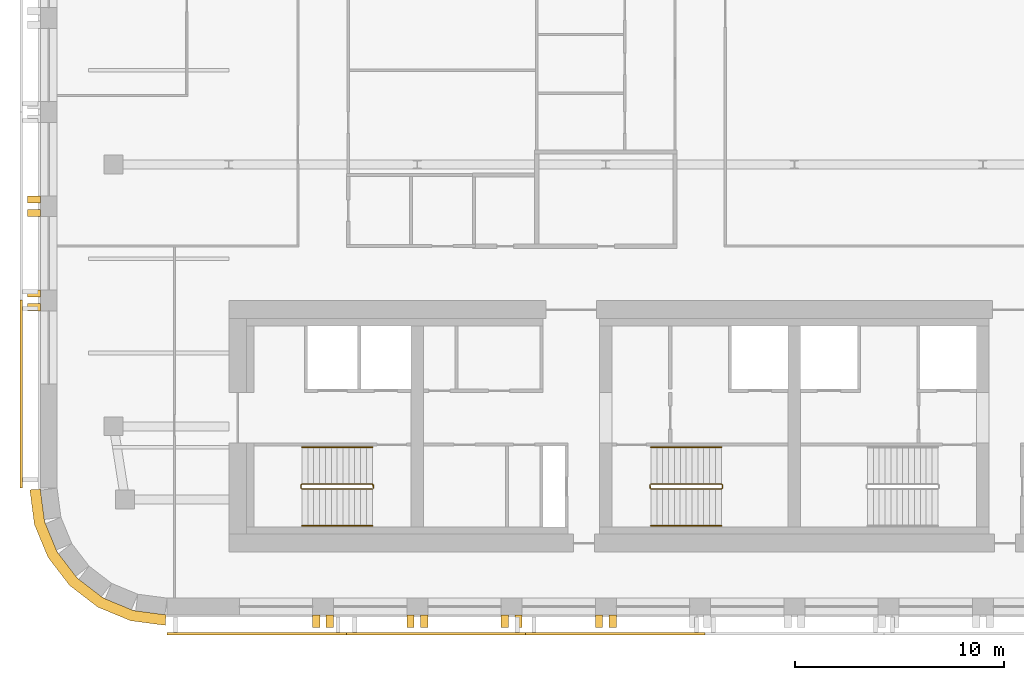
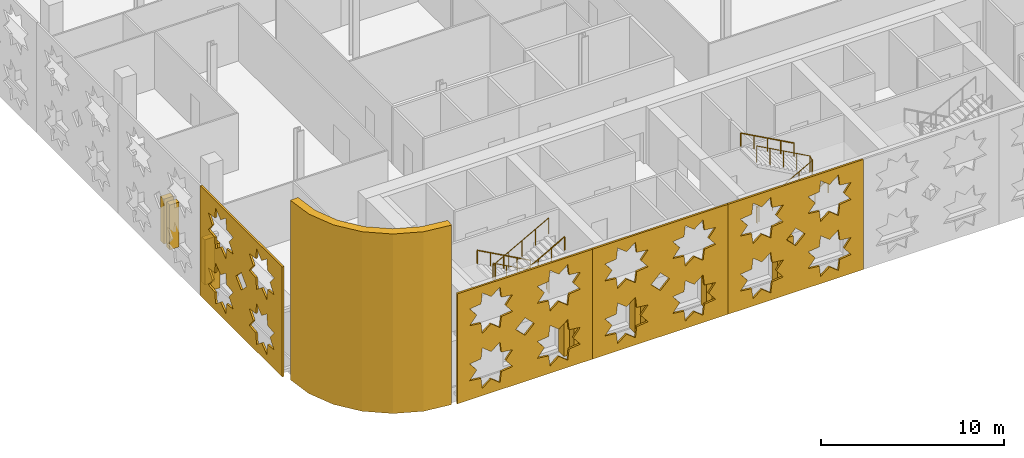
# One storey, part 10 of 14: 17 coverings, 6 railings.
"""IFC4 building model written with IfcOpenShell, lengths in metres."""

from ifc_helpers import new_model, si_unit, direction, frame, origin, origin_2d, place, context, subcontext, project, spatial, polyline, circle, outline, extrude, material, layer, layer_set, type_object, element, save


model = new_model("IFC4")

# Units and contexts
model_context = context("Model", 3, precision=1e-05, world=origin(), true_north=direction((0.0, 1.0)))
body_context = subcontext(model_context, "Body", "Model", "MODEL_VIEW")
ifc_project = project(units=[si_unit("LENGTHUNIT", "METRE"), si_unit("AREAUNIT", "SQUARE_METRE"), si_unit("VOLUMEUNIT", "CUBIC_METRE"), si_unit("PLANEANGLEUNIT", "RADIAN"), si_unit("MASSUNIT", "GRAM", prefix="KILO")], contexts=[model_context])

# Site, building, storey
site_placement = place(None, origin())
site = spatial("IfcSite", under=ifc_project, at=site_placement, CompositionType="ELEMENT")
building_placement = place(site_placement, origin())
building = spatial("IfcBuilding", under=site, at=building_placement, Name="Zellij Exchange Tower", CompositionType="ELEMENT")
storey_placement = place(building_placement, frame((0.0, 0.0, 164.5)))
storey = spatial("IfcBuildingStorey", under=building, at=storey_placement, Name="L37", CompositionType="ELEMENT", Elevation=164.5)

# Railings
ifc_material_1 = material(Name="Stainless steel", Category="steel")
railing_type_1 = type_object("IfcRailingType", Name="CORE-RG stair guard", PredefinedType="GUARDRAIL", material=ifc_material_1)
railing_1_placement = place(storey_placement, frame((-20.10009765625, -10.800048828125, 0.0)))
element("IfcRailing", 1, at=railing_1_placement, inside=storey, type_object=railing_type_1, Name="ST1 stair guard L37", PredefinedType="GUARDRAIL", context=body_context, shape_type="SweptSolid", body=[
    extrude(circle(Radius=0.02392578125, at=origin_2d()), frame((0.0, 0.0, 1.076171875), z_axis=(0.0, -1.0, 0.0), x_axis=(1.0, 0.0, 0.0)), (0.0, 0.0, 1.0), 0.14990234375),
    extrude(circle(Radius=0.02392578125, at=origin_2d()), frame((0.0, -0.14990234375, 1.076171875), z_axis=(-0.193691321961, 0.777613689637, 0.598164376644), x_axis=(-0.970351222016, -0.241699205484, 0.0)), (0.0, 0.0, 1.0), 0.257080078125),
    extrude(circle(Radius=0.02392578125, at=origin_2d()), frame((-0.0498046875, 0.050048828125, 1.22998046875), z_axis=(-0.876421534553, 0.0, 0.481544695509), x_axis=(0.0, -1.0, 0.0)), (0.0, 0.0, 1.0), 3.833984375),
    extrude(circle(Radius=0.02392578125, at=origin_2d()), frame((-3.409912109375, 0.050048828125, 3.076171875), z_axis=(-0.707106781187, -0.707106781187, 0.0), x_axis=(0.707106781187, -0.707106781187, 0.0)), (0.0, 0.0, 1.0), 0.07080078125),
    extrude(circle(Radius=0.02392578125, at=origin_2d()), frame((-3.4599609375, 0.0, 3.076171875), z_axis=(0.0, -1.0, 0.0), x_axis=(1.0, 0.0, 0.0)), (0.0, 0.0, 1.0), 0.14990234375),
    extrude(circle(Radius=0.02392578125, at=origin_2d()), frame((-3.4599609375, -0.14990234375, 3.076171875), z_axis=(0.295599637079, -0.295599637079, 0.908428152975), x_axis=(0.707106781187, 0.707106781187, 0.0)), (0.0, 0.0, 1.0), 0.16943359375),
    extrude(circle(Radius=0.02392578125, at=origin_2d()), frame((-3.409912109375, -0.199951171875, 3.22998046875), z_axis=(0.876421534553, 0.0, 0.481544695509), x_axis=(0.0, 1.0, 0.0)), (0.0, 0.0, 1.0), 3.833984375),
    extrude(circle(Radius=0.02099609375, at=origin_2d()), origin(), (0.0, 0.0, 1.0), 1.052001953125),
    extrude(circle(Radius=0.02099609375, at=origin_2d()), frame((0.0, -0.14990234375, 0.0)), (0.0, 0.0, 1.0), 1.052001953125),
    extrude(circle(Radius=0.02099609375, at=origin_2d()), frame((-0.0498046875, 0.050048828125, 0.15380859375)), (0.0, 0.0, 1.0), 1.052001953125),
    extrude(circle(Radius=0.02099609375, at=origin_2d()), frame((-0.889892578125, 0.050048828125, 0.615234375)), (0.0, 0.0, 1.0), 1.052001953125),
    extrude(circle(Radius=0.02099609375, at=origin_2d()), frame((-1.72998046875, 0.050048828125, 1.076904296875)), (0.0, 0.0, 1.0), 1.052001953125),
    extrude(circle(Radius=0.02099609375, at=origin_2d()), frame((-2.56982421875, 0.050048828125, 1.53857421875)), (0.0, 0.0, 1.0), 1.052001953125),
    extrude(circle(Radius=0.02099609375, at=origin_2d()), frame((-3.409912109375, 0.050048828125, 2.0)), (0.0, 0.0, 1.0), 1.052001953125),
    extrude(circle(Radius=0.02099609375, at=origin_2d()), frame((-3.4599609375, 0.0, 2.0)), (0.0, 0.0, 1.0), 1.052001953125),
    extrude(circle(Radius=0.02099609375, at=origin_2d()), frame((-3.4599609375, -0.14990234375, 2.0)), (0.0, 0.0, 1.0), 1.052001953125),
    extrude(circle(Radius=0.02099609375, at=origin_2d()), frame((-3.409912109375, -0.199951171875, 2.15380859375)), (0.0, 0.0, 1.0), 1.052001953125),
    extrude(circle(Radius=0.02099609375, at=origin_2d()), frame((-2.56982421875, -0.199951171875, 2.615234375)), (0.0, 0.0, 1.0), 1.052001953125),
    extrude(circle(Radius=0.02099609375, at=origin_2d()), frame((-1.72998046875, -0.199951171875, 3.076904296875)), (0.0, 0.0, 1.0), 1.052001953125),
    extrude(circle(Radius=0.02099609375, at=origin_2d()), frame((-0.889892578125, -0.199951171875, 3.53857421875)), (0.0, 0.0, 1.0), 1.052001953125),
    extrude(circle(Radius=0.02099609375, at=origin_2d()), frame((-0.0498046875, -0.199951171875, 4.0)), (0.0, 0.0, 1.0), 1.052001953125),
])
railing_2_placement = place(storey_placement, frame((-6.89990234375, -10.949951171875, 0.0)))
element("IfcRailing", 2, at=railing_2_placement, inside=storey, type_object=railing_type_1, Name="ST2 stair guard L37", PredefinedType="GUARDRAIL", context=body_context, shape_type="SweptSolid", body=[
    extrude(circle(Radius=0.02392578125, at=origin_2d()), frame((0.0, 0.0, 1.076171875), z_axis=(0.0, 1.0, 0.0), x_axis=(-1.0, 0.0, 0.0)), (0.0, 0.0, 1.0), 0.14990234375),
    extrude(circle(Radius=0.02392578125, at=origin_2d()), frame((0.0, 0.14990234375, 1.076171875), z_axis=(0.193691321961, -0.777613689637, 0.598164376644), x_axis=(0.970351222016, 0.241699205484, 0.0)), (0.0, 0.0, 1.0), 0.257080078125),
    extrude(circle(Radius=0.02392578125, at=origin_2d()), frame((0.0498046875, -0.050048828125, 1.22998046875), z_axis=(0.876421534553, 0.0, 0.481544695509), x_axis=(0.0, 1.0, 0.0)), (0.0, 0.0, 1.0), 3.833984375),
    extrude(circle(Radius=0.02392578125, at=origin_2d()), frame((3.409912109375, -0.050048828125, 3.076171875), z_axis=(0.707106781187, 0.707106781187, 0.0), x_axis=(-0.707106781187, 0.707106781187, 0.0)), (0.0, 0.0, 1.0), 0.07080078125),
    extrude(circle(Radius=0.02392578125, at=origin_2d()), frame((3.4599609375, 0.0, 3.076171875), z_axis=(0.0, 1.0, 0.0), x_axis=(-1.0, 0.0, 0.0)), (0.0, 0.0, 1.0), 0.14990234375),
    extrude(circle(Radius=0.02392578125, at=origin_2d()), frame((3.4599609375, 0.14990234375, 3.076171875), z_axis=(-0.295599637079, 0.295599637079, 0.908428152975), x_axis=(-0.707106781187, -0.707106781187, 0.0)), (0.0, 0.0, 1.0), 0.16943359375),
    extrude(circle(Radius=0.02392578125, at=origin_2d()), frame((3.409912109375, 0.199951171875, 3.22998046875), z_axis=(-0.876421534553, 0.0, 0.481544695509), x_axis=(0.0, -1.0, 0.0)), (0.0, 0.0, 1.0), 3.833984375),
    extrude(circle(Radius=0.02099609375, at=origin_2d()), origin(), (0.0, 0.0, 1.0), 1.052001953125),
    extrude(circle(Radius=0.02099609375, at=origin_2d()), frame((0.0, 0.14990234375, 0.0)), (0.0, 0.0, 1.0), 1.052001953125),
    extrude(circle(Radius=0.02099609375, at=origin_2d()), frame((0.0498046875, -0.050048828125, 0.15380859375)), (0.0, 0.0, 1.0), 1.052001953125),
    extrude(circle(Radius=0.02099609375, at=origin_2d()), frame((0.889892578125, -0.050048828125, 0.615234375)), (0.0, 0.0, 1.0), 1.052001953125),
    extrude(circle(Radius=0.02099609375, at=origin_2d()), frame((1.72998046875, -0.050048828125, 1.076904296875)), (0.0, 0.0, 1.0), 1.052001953125),
    extrude(circle(Radius=0.02099609375, at=origin_2d()), frame((2.56982421875, -0.050048828125, 1.53857421875)), (0.0, 0.0, 1.0), 1.052001953125),
    extrude(circle(Radius=0.02099609375, at=origin_2d()), frame((3.409912109375, -0.050048828125, 2.0)), (0.0, 0.0, 1.0), 1.052001953125),
    extrude(circle(Radius=0.02099609375, at=origin_2d()), frame((3.4599609375, 0.0, 2.0)), (0.0, 0.0, 1.0), 1.052001953125),
    extrude(circle(Radius=0.02099609375, at=origin_2d()), frame((3.4599609375, 0.14990234375, 2.0)), (0.0, 0.0, 1.0), 1.052001953125),
    extrude(circle(Radius=0.02099609375, at=origin_2d()), frame((3.409912109375, 0.199951171875, 2.15380859375)), (0.0, 0.0, 1.0), 1.052001953125),
    extrude(circle(Radius=0.02099609375, at=origin_2d()), frame((2.56982421875, 0.199951171875, 2.615234375)), (0.0, 0.0, 1.0), 1.052001953125),
    extrude(circle(Radius=0.02099609375, at=origin_2d()), frame((1.72998046875, 0.199951171875, 3.076904296875)), (0.0, 0.0, 1.0), 1.052001953125),
    extrude(circle(Radius=0.02099609375, at=origin_2d()), frame((0.889892578125, 0.199951171875, 3.53857421875)), (0.0, 0.0, 1.0), 1.052001953125),
    extrude(circle(Radius=0.02099609375, at=origin_2d()), frame((0.0498046875, 0.199951171875, 4.0)), (0.0, 0.0, 1.0), 1.052001953125),
])
railing_type_2 = type_object("IfcRailingType", Name="CORE-RH stair handrail", PredefinedType="HANDRAIL", material=ifc_material_1)
railing_3_placement = place(storey_placement, frame((-20.14990234375, -9.0, 0.15380859375)))
element("IfcRailing", 3, at=railing_3_placement, inside=storey, type_object=railing_type_2, Name="ST1 stair handrail L37", PredefinedType="HANDRAIL", context=body_context, shape_type="SweptSolid", body=[
    extrude(circle(Radius=0.02392578125, at=origin_2d()), frame((0.0, 0.0, 0.8759765625), z_axis=(-0.876421534553, 0.0, 0.481544695509), x_axis=(0.0, -1.0, 0.0)), (0.0, 0.0, 1.0), 3.833984375),
    extrude(circle(Radius=0.02099609375, at=origin_2d()), origin(), (0.0, 0.0, 1.0), 0.851806640625),
    extrude(circle(Radius=0.02099609375, at=origin_2d()), frame((-0.840087890625, 0.0, 0.46142578125)), (0.0, 0.0, 1.0), 0.851806640625),
    extrude(circle(Radius=0.02099609375, at=origin_2d()), frame((-1.68017578125, 0.0, 0.923095703125)), (0.0, 0.0, 1.0), 0.851806640625),
    extrude(circle(Radius=0.02099609375, at=origin_2d()), frame((-2.52001953125, 0.0, 1.384765625)), (0.0, 0.0, 1.0), 0.851806640625),
    extrude(circle(Radius=0.02099609375, at=origin_2d()), frame((-3.360107421875, 0.0, 1.84619140625)), (0.0, 0.0, 1.0), 0.851806640625),
])
for number, where, name in (
    (4, (-23.510009765625, -12.75, 2.15380859375), "ST1 stair handrail L37"),
    (5, (-6.85009765625, -12.75, 0.15380859375), "ST2 stair handrail L37"),
):
    element("IfcRailing", number, at=place(storey_placement, frame(where)), inside=storey, type_object=railing_type_2, Name=name, PredefinedType="HANDRAIL", context=body_context, shape_type="SweptSolid", body=[
        extrude(circle(Radius=0.02392578125, at=origin_2d()), frame((0.0, 0.0, 0.8759765625), z_axis=(0.876421534553, 0.0, 0.481544695509), x_axis=(0.0, 1.0, 0.0)), (0.0, 0.0, 1.0), 3.833984375),
        extrude(circle(Radius=0.02099609375, at=origin_2d()), origin(), (0.0, 0.0, 1.0), 0.851806640625),
        extrude(circle(Radius=0.02099609375, at=origin_2d()), frame((0.840087890625, 0.0, 0.46142578125)), (0.0, 0.0, 1.0), 0.851806640625),
        extrude(circle(Radius=0.02099609375, at=origin_2d()), frame((1.68017578125, 0.0, 0.923095703125)), (0.0, 0.0, 1.0), 0.851806640625),
        extrude(circle(Radius=0.02099609375, at=origin_2d()), frame((2.52001953125, 0.0, 1.384765625)), (0.0, 0.0, 1.0), 0.851806640625),
        extrude(circle(Radius=0.02099609375, at=origin_2d()), frame((3.360107421875, 0.0, 1.84619140625)), (0.0, 0.0, 1.0), 0.851806640625),
    ])
railing_4_placement = place(storey_placement, frame((-3.489990234375, -9.0, 2.15380859375)))
element("IfcRailing", 6, at=railing_4_placement, inside=storey, type_object=railing_type_2, Name="ST2 stair handrail L37", PredefinedType="HANDRAIL", context=body_context, shape_type="SweptSolid", body=[
    extrude(circle(Radius=0.02392578125, at=origin_2d()), frame((0.0, 0.0, 0.8759765625), z_axis=(-0.876421534553, 0.0, 0.481544695509), x_axis=(0.0, -1.0, 0.0)), (0.0, 0.0, 1.0), 3.833984375),
    extrude(circle(Radius=0.02099609375, at=origin_2d()), origin(), (0.0, 0.0, 1.0), 0.851806640625),
    extrude(circle(Radius=0.02099609375, at=origin_2d()), frame((-0.840087890625, 0.0, 0.46142578125)), (0.0, 0.0, 1.0), 0.851806640625),
    extrude(circle(Radius=0.02099609375, at=origin_2d()), frame((-1.68017578125, 0.0, 0.923095703125)), (0.0, 0.0, 1.0), 0.851806640625),
    extrude(circle(Radius=0.02099609375, at=origin_2d()), frame((-2.52001953125, 0.0, 1.384765625)), (0.0, 0.0, 1.0), 0.851806640625),
    extrude(circle(Radius=0.02099609375, at=origin_2d()), frame((-3.360107421875, 0.0, 1.84619140625)), (0.0, 0.0, 1.0), 0.851806640625),
])

# Coverings
ifc_material_2 = material(Name="Limestone cladding", Category="masonry")
ifc_layer_1 = layer(ifc_material_2, 0.5)
ifc_layer_set_1 = layer_set([ifc_layer_1], Name="Limestone cladding")
covering_type_1 = type_object("IfcCoveringType", Name="ENV-CV12 Stone corner pier 500", PredefinedType="CLADDING", material=ifc_layer_set_1)
covering_1_placement = place(storey_placement, origin())
element("IfcCovering", 7, at=covering_1_placement, inside=storey, type_object=covering_type_1, Name="Stone corner pier", PredefinedType="CLADDING", context=body_context, shape_type="SweptSolid", body=[
    extrude(outline(polyline([(-36.0, -11.0), (-35.795654296875, -12.552978515625), (-35.1962890625, -14.0), (-34.24267578125, -15.24267578125), (-33.0, -16.1962890625), (-31.552978515625, -16.795654296875), (-30.0, -17.0), (-30.03271484375, -17.5), (-31.683349609375, -17.28271484375), (-33.252197265625, -16.6328125), (-34.59912109375, -15.59912109375), (-35.6328125, -14.252197265625), (-36.28271484375, -12.683349609375), (-36.5, -11.03271484375), (-36.0, -11.0)])), origin(), (0.0, 0.0, 1.0), 12.0),
])
covering_type_2 = type_object("IfcCoveringType", Name="ENV-CV3 Stone pier 350x600", PredefinedType="CLADDING", material=ifc_material_2)
covering_2_placement = place(storey_placement, frame((0.0, 0.0, 0.800048828125)))
element("IfcCovering", 8, at=covering_2_placement, inside=storey, type_object=covering_type_2, Name="Stone pier", PredefinedType="CLADDING", context=body_context, shape_type="SweptSolid", body=[
    extrude(outline(polyline([(-23.0, -17.0), (-22.64990234375, -17.0), (-22.64990234375, -17.60009765625), (-23.0, -17.60009765625), (-23.0, -17.0)])), origin(), (0.0, 0.0, 1.0), 3.0),
])
covering_3_placement = place(storey_placement, frame((0.0, 0.0, 0.800048828125)))
element("IfcCovering", 9, at=covering_3_placement, inside=storey, type_object=covering_type_2, Name="Stone pier", PredefinedType="CLADDING", context=body_context, shape_type="SweptSolid", body=[
    extrude(outline(polyline([(-22.35009765625, -17.0), (-22.0, -17.0), (-22.0, -17.60009765625), (-22.35009765625, -17.60009765625), (-22.35009765625, -17.0)])), origin(), (0.0, 0.0, 1.0), 3.0),
])
covering_4_placement = place(storey_placement, frame((0.0, 0.0, 0.800048828125)))
element("IfcCovering", 10, at=covering_4_placement, inside=storey, type_object=covering_type_2, Name="Stone pier", PredefinedType="CLADDING", context=body_context, shape_type="SweptSolid", body=[
    extrude(outline(polyline([(-18.5, -17.0), (-18.14990234375, -17.0), (-18.14990234375, -17.60009765625), (-18.5, -17.60009765625), (-18.5, -17.0)])), origin(), (0.0, 0.0, 1.0), 3.0),
])
covering_5_placement = place(storey_placement, frame((0.0, 0.0, 0.800048828125)))
element("IfcCovering", 11, at=covering_5_placement, inside=storey, type_object=covering_type_2, Name="Stone pier", PredefinedType="CLADDING", context=body_context, shape_type="SweptSolid", body=[
    extrude(outline(polyline([(-17.85009765625, -17.0), (-17.5, -17.0), (-17.5, -17.60009765625), (-17.85009765625, -17.60009765625), (-17.85009765625, -17.0)])), origin(), (0.0, 0.0, 1.0), 3.0),
])
covering_6_placement = place(storey_placement, frame((0.0, 0.0, 0.800048828125)))
element("IfcCovering", 12, at=covering_6_placement, inside=storey, type_object=covering_type_2, Name="Stone pier", PredefinedType="CLADDING", context=body_context, shape_type="SweptSolid", body=[
    extrude(outline(polyline([(-14.0, -17.0), (-13.64990234375, -17.0), (-13.64990234375, -17.60009765625), (-14.0, -17.60009765625), (-14.0, -17.0)])), origin(), (0.0, 0.0, 1.0), 3.0),
])
covering_7_placement = place(storey_placement, frame((0.0, 0.0, 0.800048828125)))
element("IfcCovering", 13, at=covering_7_placement, inside=storey, type_object=covering_type_2, Name="Stone pier", PredefinedType="CLADDING", context=body_context, shape_type="SweptSolid", body=[
    extrude(outline(polyline([(-13.35009765625, -17.0), (-13.0, -17.0), (-13.0, -17.60009765625), (-13.35009765625, -17.60009765625), (-13.35009765625, -17.0)])), origin(), (0.0, 0.0, 1.0), 3.0),
])
covering_8_placement = place(storey_placement, frame((0.0, 0.0, 0.800048828125)))
element("IfcCovering", 14, at=covering_8_placement, inside=storey, type_object=covering_type_2, Name="Stone pier", PredefinedType="CLADDING", context=body_context, shape_type="SweptSolid", body=[
    extrude(outline(polyline([(-9.5, -17.0), (-9.14990234375, -17.0), (-9.14990234375, -17.60009765625), (-9.5, -17.60009765625), (-9.5, -17.0)])), origin(), (0.0, 0.0, 1.0), 3.0),
])
covering_9_placement = place(storey_placement, frame((0.0, 0.0, 0.800048828125)))
element("IfcCovering", 15, at=covering_9_placement, inside=storey, type_object=covering_type_2, Name="Stone pier", PredefinedType="CLADDING", context=body_context, shape_type="SweptSolid", body=[
    extrude(outline(polyline([(-8.85009765625, -17.0), (-8.5, -17.0), (-8.5, -17.60009765625), (-8.85009765625, -17.60009765625), (-8.85009765625, -17.0)])), origin(), (0.0, 0.0, 1.0), 3.0),
])
covering_10_placement = place(storey_placement, frame((0.0, 0.0, 0.800048828125)))
element("IfcCovering", 16, at=covering_10_placement, inside=storey, type_object=covering_type_2, Name="Stone pier", PredefinedType="CLADDING", context=body_context, shape_type="SweptSolid", body=[
    extrude(outline(polyline([(-36.0, 3.006591796875), (-36.0, 2.656494140625), (-36.60009765625, 2.656494140625), (-36.60009765625, 3.006591796875), (-36.0, 3.006591796875)])), origin(), (0.0, 0.0, 1.0), 3.0),
])
covering_11_placement = place(storey_placement, frame((0.0, 0.0, 0.800048828125)))
element("IfcCovering", 17, at=covering_11_placement, inside=storey, type_object=covering_type_2, Name="Stone pier", PredefinedType="CLADDING", context=body_context, shape_type="SweptSolid", body=[
    extrude(outline(polyline([(-36.0, 2.356689453125), (-36.0, 2.006591796875), (-36.60009765625, 2.006591796875), (-36.60009765625, 2.356689453125), (-36.0, 2.356689453125)])), origin(), (0.0, 0.0, 1.0), 3.0),
])
covering_12_placement = place(storey_placement, frame((0.0, 0.0, 0.800048828125)))
element("IfcCovering", 18, at=covering_12_placement, inside=storey, type_object=covering_type_2, Name="Stone pier", PredefinedType="CLADDING", context=body_context, shape_type="SweptSolid", body=[
    extrude(outline(polyline([(-36.0, -1.48681640625), (-36.0, -1.8369140625), (-36.60009765625, -1.8369140625), (-36.60009765625, -1.48681640625), (-36.0, -1.48681640625)])), origin(), (0.0, 0.0, 1.0), 3.0),
])
covering_13_placement = place(storey_placement, frame((0.0, 0.0, 0.800048828125)))
element("IfcCovering", 19, at=covering_13_placement, inside=storey, type_object=covering_type_2, Name="Stone pier", PredefinedType="CLADDING", context=body_context, shape_type="SweptSolid", body=[
    extrude(outline(polyline([(-36.0, -2.136962890625), (-36.0, -2.48681640625), (-36.60009765625, -2.48681640625), (-36.60009765625, -2.136962890625), (-36.0, -2.136962890625)])), origin(), (0.0, 0.0, 1.0), 3.0),
])
ifc_material_3 = material(Name="Limestone screen", Category="masonry")
ifc_layer_2 = layer(ifc_material_3, 0.1201171875)
ifc_layer_set_2 = layer_set([ifc_layer_2], Name="Limestone screen")
covering_type_3 = type_object("IfcCoveringType", Name="ENV-SC1 Pierced stone screen 120", PredefinedType="USERDEFINED", material=ifc_layer_set_2)
covering_14_placement = place(storey_placement, frame((-36.909912109375, -1.973876953125, 0.300048828125), z_axis=(0.0, 0.0, 1.0), x_axis=(0.0, -1.0, 0.0)))
element("IfcCovering", 20, at=covering_14_placement, inside=storey, type_object=covering_type_3, Name="Pierced stone screen", ObjectType="SCREEN", PredefinedType="USERDEFINED", context=body_context, shape_type="SweptSolid", body=[
    extrude(outline(polyline([(0.0, 0.0), (8.973876953125, 0.0), (8.973876953125, 7.35009765625), (0.0, 7.35009765625), (0.0, 0.0)]), holes=[polyline([(3.6015625, 2.39990234375), (2.887939453125, 2.48193359375), (2.805908203125, 3.195556640625), (2.243408203125, 2.748779296875), (1.680908203125, 3.195556640625), (1.59912109375, 2.48193359375), (0.88525390625, 2.39990234375), (1.33203125, 1.83740234375), (0.88525390625, 1.27490234375), (1.59912109375, 1.193115234375), (1.680908203125, 0.4794921875), (2.243408203125, 0.926025390625), (2.805908203125, 0.4794921875), (2.887939453125, 1.193115234375), (3.6015625, 1.27490234375), (3.15478515625, 1.83740234375), (3.6015625, 2.39990234375)]), polyline([(3.6015625, 6.074951171875), (2.887939453125, 6.156982421875), (2.805908203125, 6.87060546875), (2.243408203125, 6.423828125), (1.680908203125, 6.87060546875), (1.59912109375, 6.156982421875), (0.88525390625, 6.074951171875), (1.33203125, 5.512451171875), (0.88525390625, 4.949951171875), (1.59912109375, 4.867919921875), (1.680908203125, 4.154296875), (2.243408203125, 4.60107421875), (2.805908203125, 4.154296875), (2.887939453125, 4.867919921875), (3.6015625, 4.949951171875), (3.15478515625, 5.512451171875), (3.6015625, 6.074951171875)]), polyline([(8.08837890625, 2.39990234375), (7.374755859375, 2.48193359375), (7.29296875, 3.195556640625), (6.730224609375, 2.748779296875), (6.167724609375, 3.195556640625), (6.0859375, 2.48193359375), (5.372314453125, 2.39990234375), (5.81884765625, 1.83740234375), (5.372314453125, 1.27490234375), (6.0859375, 1.193115234375), (6.167724609375, 0.4794921875), (6.730224609375, 0.926025390625), (7.29296875, 0.4794921875), (7.374755859375, 1.193115234375), (8.08837890625, 1.27490234375), (7.6416015625, 1.83740234375), (8.08837890625, 2.39990234375)]), polyline([(8.08837890625, 6.074951171875), (7.374755859375, 6.156982421875), (7.29296875, 6.87060546875), (6.730224609375, 6.423828125), (6.167724609375, 6.87060546875), (6.0859375, 6.156982421875), (5.372314453125, 6.074951171875), (5.81884765625, 5.512451171875), (5.372314453125, 4.949951171875), (6.0859375, 4.867919921875), (6.167724609375, 4.154296875), (6.730224609375, 4.60107421875), (7.29296875, 4.154296875), (7.374755859375, 4.867919921875), (8.08837890625, 4.949951171875), (7.6416015625, 5.512451171875), (8.08837890625, 6.074951171875)]), polyline([(5.074951171875, 3.675048828125), (4.48681640625, 4.262939453125), (3.89892578125, 3.675048828125), (4.48681640625, 3.0869140625), (5.074951171875, 3.675048828125)])]), frame((0.0, 0.06005859375, 0.0), z_axis=(0.0, -1.0, 0.0), x_axis=(1.0, 0.0, 0.0)), (0.0, 0.0, 1.0), 0.1201171875),
])
covering_15_placement = place(storey_placement, frame((-29.947509765625, -17.909912109375, 0.300048828125), z_axis=(0.0, 0.0, 1.0), x_axis=(1.0, 0.0, 0.0)))
element("IfcCovering", 21, at=covering_15_placement, inside=storey, type_object=covering_type_3, Name="Pierced stone screen", ObjectType="SCREEN", PredefinedType="USERDEFINED", context=body_context, shape_type="SweptSolid", body=[
    extrude(outline(polyline([(0.0, 0.0), (8.556396484375, 0.0), (8.556396484375, 7.35009765625), (0.0, 7.35009765625), (0.0, 0.0)]), holes=[polyline([(3.497314453125, 2.39990234375), (2.78369140625, 2.48193359375), (2.70166015625, 3.195556640625), (2.13916015625, 2.748779296875), (1.57666015625, 3.195556640625), (1.49462890625, 2.48193359375), (0.781005859375, 2.39990234375), (1.227783203125, 1.83740234375), (0.781005859375, 1.27490234375), (1.49462890625, 1.193115234375), (1.57666015625, 0.4794921875), (2.13916015625, 0.926025390625), (2.70166015625, 0.4794921875), (2.78369140625, 1.193115234375), (3.497314453125, 1.27490234375), (3.050537109375, 1.83740234375), (3.497314453125, 2.39990234375)]), polyline([(3.497314453125, 6.074951171875), (2.78369140625, 6.156982421875), (2.70166015625, 6.87060546875), (2.13916015625, 6.423828125), (1.57666015625, 6.87060546875), (1.49462890625, 6.156982421875), (0.781005859375, 6.074951171875), (1.227783203125, 5.512451171875), (0.781005859375, 4.949951171875), (1.49462890625, 4.867919921875), (1.57666015625, 4.154296875), (2.13916015625, 4.60107421875), (2.70166015625, 4.154296875), (2.78369140625, 4.867919921875), (3.497314453125, 4.949951171875), (3.050537109375, 5.512451171875), (3.497314453125, 6.074951171875)]), polyline([(7.775390625, 2.39990234375), (7.061767578125, 2.48193359375), (6.97998046875, 3.195556640625), (6.417236328125, 2.748779296875), (5.854736328125, 3.195556640625), (5.77294921875, 2.48193359375), (5.05908203125, 2.39990234375), (5.505859375, 1.83740234375), (5.05908203125, 1.27490234375), (5.77294921875, 1.193115234375), (5.854736328125, 0.4794921875), (6.417236328125, 0.926025390625), (6.97998046875, 0.4794921875), (7.061767578125, 1.193115234375), (7.775390625, 1.27490234375), (7.32861328125, 1.83740234375), (7.775390625, 2.39990234375)]), polyline([(7.775390625, 6.074951171875), (7.061767578125, 6.156982421875), (6.97998046875, 6.87060546875), (6.417236328125, 6.423828125), (5.854736328125, 6.87060546875), (5.77294921875, 6.156982421875), (5.05908203125, 6.074951171875), (5.505859375, 5.512451171875), (5.05908203125, 4.949951171875), (5.77294921875, 4.867919921875), (5.854736328125, 4.154296875), (6.417236328125, 4.60107421875), (6.97998046875, 4.154296875), (7.061767578125, 4.867919921875), (7.775390625, 4.949951171875), (7.32861328125, 5.512451171875), (7.775390625, 6.074951171875)]), polyline([(4.8662109375, 3.675048828125), (4.2783203125, 4.262939453125), (3.690185546875, 3.675048828125), (4.2783203125, 3.0869140625), (4.8662109375, 3.675048828125)])]), frame((0.0, 0.06005859375, 0.0), z_axis=(0.0, -1.0, 0.0), x_axis=(1.0, 0.0, 0.0)), (0.0, 0.0, 1.0), 0.1201171875),
])
covering_16_placement = place(storey_placement, frame((-21.39111328125, -17.909912109375, 0.300048828125), z_axis=(0.0, 0.0, 1.0), x_axis=(1.0, 0.0, 0.0)))
element("IfcCovering", 22, at=covering_16_placement, inside=storey, type_object=covering_type_3, Name="Pierced stone screen", ObjectType="SCREEN", PredefinedType="USERDEFINED", context=body_context, shape_type="SweptSolid", body=[
    extrude(outline(polyline([(0.0, 0.0), (8.556396484375, 0.0), (8.556396484375, 7.35009765625), (0.0, 7.35009765625), (0.0, 0.0)]), holes=[polyline([(3.497314453125, 2.39990234375), (2.78369140625, 2.48193359375), (2.70166015625, 3.195556640625), (2.13916015625, 2.748779296875), (1.57666015625, 3.195556640625), (1.49462890625, 2.48193359375), (0.781005859375, 2.39990234375), (1.227783203125, 1.83740234375), (0.781005859375, 1.27490234375), (1.49462890625, 1.193115234375), (1.57666015625, 0.4794921875), (2.13916015625, 0.926025390625), (2.70166015625, 0.4794921875), (2.78369140625, 1.193115234375), (3.497314453125, 1.27490234375), (3.050537109375, 1.83740234375), (3.497314453125, 2.39990234375)]), polyline([(3.497314453125, 6.074951171875), (2.78369140625, 6.156982421875), (2.70166015625, 6.87060546875), (2.13916015625, 6.423828125), (1.57666015625, 6.87060546875), (1.49462890625, 6.156982421875), (0.781005859375, 6.074951171875), (1.227783203125, 5.512451171875), (0.781005859375, 4.949951171875), (1.49462890625, 4.867919921875), (1.57666015625, 4.154296875), (2.13916015625, 4.60107421875), (2.70166015625, 4.154296875), (2.78369140625, 4.867919921875), (3.497314453125, 4.949951171875), (3.050537109375, 5.512451171875), (3.497314453125, 6.074951171875)]), polyline([(7.775390625, 2.39990234375), (7.061767578125, 2.48193359375), (6.97998046875, 3.195556640625), (6.417236328125, 2.748779296875), (5.854736328125, 3.195556640625), (5.77294921875, 2.48193359375), (5.05908203125, 2.39990234375), (5.505859375, 1.83740234375), (5.05908203125, 1.27490234375), (5.77294921875, 1.193115234375), (5.854736328125, 0.4794921875), (6.417236328125, 0.926025390625), (6.97998046875, 0.4794921875), (7.061767578125, 1.193115234375), (7.775390625, 1.27490234375), (7.32861328125, 1.83740234375), (7.775390625, 2.39990234375)]), polyline([(7.775390625, 6.074951171875), (7.061767578125, 6.156982421875), (6.97998046875, 6.87060546875), (6.417236328125, 6.423828125), (5.854736328125, 6.87060546875), (5.77294921875, 6.156982421875), (5.05908203125, 6.074951171875), (5.505859375, 5.512451171875), (5.05908203125, 4.949951171875), (5.77294921875, 4.867919921875), (5.854736328125, 4.154296875), (6.417236328125, 4.60107421875), (6.97998046875, 4.154296875), (7.061767578125, 4.867919921875), (7.775390625, 4.949951171875), (7.32861328125, 5.512451171875), (7.775390625, 6.074951171875)]), polyline([(4.8662109375, 3.675048828125), (4.2783203125, 4.262939453125), (3.690185546875, 3.675048828125), (4.2783203125, 3.0869140625), (4.8662109375, 3.675048828125)])]), frame((0.0, 0.06005859375, 0.0), z_axis=(0.0, -1.0, 0.0), x_axis=(1.0, 0.0, 0.0)), (0.0, 0.0, 1.0), 0.1201171875),
])
covering_17_placement = place(storey_placement, frame((-12.834716796875, -17.909912109375, 0.300048828125), z_axis=(0.0, 0.0, 1.0), x_axis=(1.0, 0.0, 0.0)))
element("IfcCovering", 23, at=covering_17_placement, inside=storey, type_object=covering_type_3, Name="Pierced stone screen", ObjectType="SCREEN", PredefinedType="USERDEFINED", context=body_context, shape_type="SweptSolid", body=[
    extrude(outline(polyline([(0.0, 0.0), (8.556396484375, 0.0), (8.556396484375, 7.35009765625), (0.0, 7.35009765625), (0.0, 0.0)]), holes=[polyline([(3.497314453125, 2.39990234375), (2.78369140625, 2.48193359375), (2.70166015625, 3.195556640625), (2.13916015625, 2.748779296875), (1.57666015625, 3.195556640625), (1.49462890625, 2.48193359375), (0.781005859375, 2.39990234375), (1.227783203125, 1.83740234375), (0.781005859375, 1.27490234375), (1.49462890625, 1.193115234375), (1.57666015625, 0.4794921875), (2.13916015625, 0.926025390625), (2.70166015625, 0.4794921875), (2.78369140625, 1.193115234375), (3.497314453125, 1.27490234375), (3.050537109375, 1.83740234375), (3.497314453125, 2.39990234375)]), polyline([(3.497314453125, 6.074951171875), (2.78369140625, 6.156982421875), (2.70166015625, 6.87060546875), (2.13916015625, 6.423828125), (1.57666015625, 6.87060546875), (1.49462890625, 6.156982421875), (0.781005859375, 6.074951171875), (1.227783203125, 5.512451171875), (0.781005859375, 4.949951171875), (1.49462890625, 4.867919921875), (1.57666015625, 4.154296875), (2.13916015625, 4.60107421875), (2.70166015625, 4.154296875), (2.78369140625, 4.867919921875), (3.497314453125, 4.949951171875), (3.050537109375, 5.512451171875), (3.497314453125, 6.074951171875)]), polyline([(7.775390625, 2.39990234375), (7.061767578125, 2.48193359375), (6.97998046875, 3.195556640625), (6.417236328125, 2.748779296875), (5.854736328125, 3.195556640625), (5.77294921875, 2.48193359375), (5.05908203125, 2.39990234375), (5.505859375, 1.83740234375), (5.05908203125, 1.27490234375), (5.77294921875, 1.193115234375), (5.854736328125, 0.4794921875), (6.417236328125, 0.926025390625), (6.97998046875, 0.4794921875), (7.061767578125, 1.193115234375), (7.775390625, 1.27490234375), (7.32861328125, 1.83740234375), (7.775390625, 2.39990234375)]), polyline([(7.775390625, 6.074951171875), (7.061767578125, 6.156982421875), (6.97998046875, 6.87060546875), (6.417236328125, 6.423828125), (5.854736328125, 6.87060546875), (5.77294921875, 6.156982421875), (5.05908203125, 6.074951171875), (5.505859375, 5.512451171875), (5.05908203125, 4.949951171875), (5.77294921875, 4.867919921875), (5.854736328125, 4.154296875), (6.417236328125, 4.60107421875), (6.97998046875, 4.154296875), (7.061767578125, 4.867919921875), (7.775390625, 4.949951171875), (7.32861328125, 5.512451171875), (7.775390625, 6.074951171875)]), polyline([(4.8662109375, 3.675048828125), (4.2783203125, 4.262939453125), (3.690185546875, 3.675048828125), (4.2783203125, 3.0869140625), (4.8662109375, 3.675048828125)])]), frame((0.0, 0.06005859375, 0.0), z_axis=(0.0, -1.0, 0.0), x_axis=(1.0, 0.0, 0.0)), (0.0, 0.0, 1.0), 0.1201171875),
])

save(model, "model.ifc")
